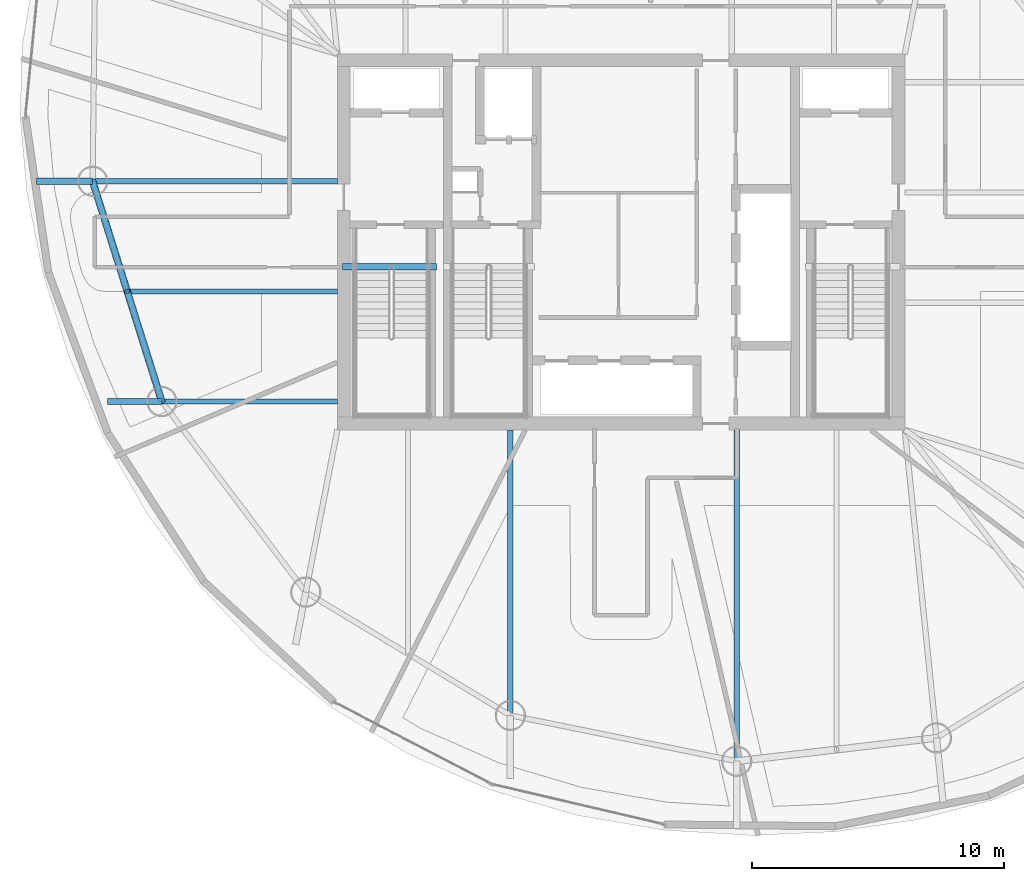
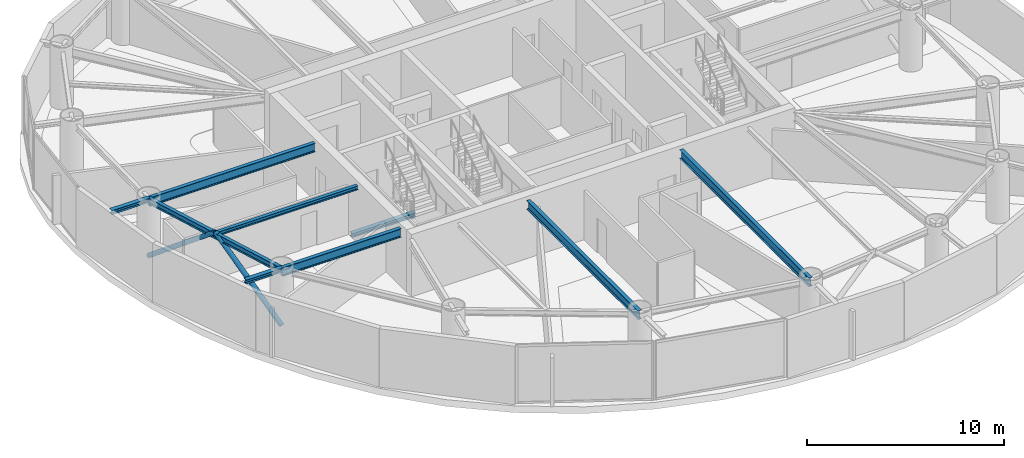
# One storey, part 4 of 25: 9 beams, 2 members.
"""IFC4 building model written with IfcOpenShell, lengths in metres."""

from ifc_helpers import new_model, si_unit, direction, frame, origin, origin_2d, place, context, subcontext, project, spatial, hollow_circle, i_section, extrude, material, material_profile, profile_set, type_object, element, save


model = new_model("IFC4")

# Units and contexts
model_context = context("Model", 3, precision=1e-05, world=origin(), true_north=direction((0.0, 1.0)))
body_context = subcontext(model_context, "Body", "Model", "MODEL_VIEW")
ifc_project = project(units=[si_unit("LENGTHUNIT", "METRE"), si_unit("AREAUNIT", "SQUARE_METRE"), si_unit("VOLUMEUNIT", "CUBIC_METRE"), si_unit("PLANEANGLEUNIT", "RADIAN"), si_unit("MASSUNIT", "GRAM", prefix="KILO")], contexts=[model_context])

# Site, building, storey
site_placement = place(None, origin())
site = spatial("IfcSite", under=ifc_project, at=site_placement, CompositionType="ELEMENT")
building_placement = place(site_placement, origin())
building = spatial("IfcBuilding", under=site, at=building_placement, Name="Bramvorn Convention Spire", CompositionType="ELEMENT")
storey_placement = place(building_placement, frame((0.0, 0.0, 171.199951171875)))
storey = spatial("IfcBuildingStorey", under=building, at=storey_placement, Name="L43", CompositionType="ELEMENT", Elevation=171.199951171875)

# Beams
ifc_material = material(Name="Steel CSA G40.21 Grade 350 (350W)", Category="steel")
ifc_material_profile_1 = material_profile(ifc_material, i_section(OverallWidth=0.201904296875, OverallDepth=0.2470703125, WebThickness=0.00732421875, FlangeThickness=0.010986328125, FilletRadius=0.011962890625, at=origin_2d()))
ifc_profile_set_1 = profile_set([ifc_material_profile_1], Name="Steel CSA G40.21 Grade 350 (350W) - W250X49")
beam_type_1 = type_object("IfcBeamType", Name="BM-W250X49", PredefinedType="JOIST", material=ifc_profile_set_1)
beam_1_placement = place(storey_placement, frame((26.75, 24.039794921875, 3.49658203125), z_axis=(-1.0, 0.0, 0.0), x_axis=(0.0, -1.0, 0.0)))
element("IfcBeam", 1, at=beam_1_placement, inside=storey, type_object=beam_type_1, Name="L43 composite floor joist 11", PredefinedType="JOIST", context=body_context, shape_type="SweptSolid", body=[
    extrude(i_section(OverallWidth=0.201904296875, OverallDepth=0.2470703125, WebThickness=0.00732421875, FlangeThickness=0.010986328125, FilletRadius=0.011962890625, at=origin_2d()), origin(), (0.0, 0.0, 1.0), 8.33251953125),
])
ifc_material_profile_2 = material_profile(ifc_material, i_section(OverallWidth=0.25390625, OverallDepth=0.2529296875, WebThickness=0.008544921875, FlangeThickness=0.01416015625, FilletRadius=0.011962890625, at=origin_2d()))
ifc_profile_set_2 = profile_set([ifc_material_profile_2], Name="Steel CSA G40.21 Grade 350 (350W) - W250X73")
beam_type_2 = type_object("IfcBeamType", Name="BM-W250X73", PredefinedType="BEAM", material=ifc_profile_set_2)
beam_2_placement = place(storey_placement, frame((17.04541015625, 28.406494140625, 3.49365234375), z_axis=(-1.0, 0.0, 0.0), x_axis=(0.0, -1.0, 0.0)))
element("IfcBeam", 2, at=beam_2_placement, inside=storey, type_object=beam_type_2, Name="L43 slab-edge cantilever tip beam MC11", PredefinedType="BEAM", context=body_context, shape_type="SweptSolid", body=[
    extrude(i_section(OverallWidth=0.25390625, OverallDepth=0.2529296875, WebThickness=0.008544921875, FlangeThickness=0.01416015625, FilletRadius=0.011962890625, at=origin_2d()), origin(), (0.0, 0.0, 1.0), 2.224609375),
])
beam_3_placement = place(storey_placement, frame((19.78955078125, 19.672607421875, 3.49365234375), z_axis=(-1.0, 0.0, 0.0), x_axis=(0.0, -1.0, 0.0)))
element("IfcBeam", 3, at=beam_3_placement, inside=storey, type_object=beam_type_2, Name="L43 slab-edge cantilever tip beam MC12", PredefinedType="BEAM", context=body_context, shape_type="SweptSolid", body=[
    extrude(i_section(OverallWidth=0.25390625, OverallDepth=0.2529296875, WebThickness=0.008544921875, FlangeThickness=0.01416015625, FilletRadius=0.011962890625, at=origin_2d()), origin(), (0.0, 0.0, 1.0), 2.14794921875),
])
beam_4_placement = place(storey_placement, frame((26.949951171875, 25.010009765625, -0.12646484375), z_axis=(1.0, 0.0, 0.0), x_axis=(0.0, 1.0, 0.0)))
element("IfcBeam", 4, at=beam_4_placement, inside=storey, type_object=beam_type_2, Name="L43 ST1 stair arrival header beam", PredefinedType="BEAM", context=body_context, shape_type="SweptSolid", body=[
    extrude(i_section(OverallWidth=0.25390625, OverallDepth=0.2529296875, WebThickness=0.008544921875, FlangeThickness=0.01416015625, FilletRadius=0.011962890625, at=origin_2d()), origin(), (0.0, 0.0, 1.0), 3.739990234375),
])
ifc_material_profile_3 = material_profile(ifc_material, i_section(OverallWidth=0.205078125, OverallDepth=0.35400390625, WebThickness=0.009521484375, FlangeThickness=0.016845703125, FilletRadius=0.014892578125, at=origin_2d()))
ifc_profile_set_3 = profile_set([ifc_material_profile_3], Name="Steel CSA G40.21 Grade 350 (350W) - W360X79")
beam_type_3 = type_object("IfcBeamType", Name="BM-W360X79", PredefinedType="JOIST", material=ifc_profile_set_3)
beam_5_placement = place(storey_placement, frame((17.04541015625, 28.406494140625, 3.443115234375), z_axis=(0.299747542929, -0.954018558786, 0.0), x_axis=(0.954018558786, 0.299747542929, 0.0)))
element("IfcBeam", 5, at=beam_5_placement, inside=storey, type_object=beam_type_3, Name="L43 mega-column ring beam 11", PredefinedType="JOIST", context=body_context, shape_type="SweptSolid", body=[
    extrude(i_section(OverallWidth=0.205078125, OverallDepth=0.35400390625, WebThickness=0.009521484375, FlangeThickness=0.016845703125, FilletRadius=0.014892578125, at=origin_2d()), origin(), (0.0, 0.0, 1.0), 9.15478515625),
])
ifc_material_profile_4 = material_profile(ifc_material, i_section(OverallWidth=0.2119140625, OverallDepth=0.5439453125, WebThickness=0.01318359375, FlangeThickness=0.021240234375, FilletRadius=0.01904296875, at=origin_2d()))
ifc_profile_set_4 = profile_set([ifc_material_profile_4], Name="Steel CSA G40.21 Grade 350 (350W) - W530X123")
beam_type_4 = type_object("IfcBeamType", Name="BM-W530X123", PredefinedType="BEAM", material=ifc_profile_set_4)
beam_6_placement = place(storey_placement, frame((26.75, 28.406494140625, 3.34814453125), z_axis=(-1.0, 0.0, 0.0), x_axis=(0.0, -1.0, 0.0)))
element("IfcBeam", 6, at=beam_6_placement, inside=storey, type_object=beam_type_4, Name="L43 radial floor girder MC11", PredefinedType="BEAM", context=body_context, shape_type="SweptSolid", body=[
    extrude(i_section(OverallWidth=0.2119140625, OverallDepth=0.5439453125, WebThickness=0.01318359375, FlangeThickness=0.021240234375, FilletRadius=0.01904296875, at=origin_2d()), origin(), (0.0, 0.0, 1.0), 9.70458984375),
])
beam_7_placement = place(storey_placement, frame((26.75, 19.672607421875, 3.34814453125), z_axis=(-1.0, 0.0, 0.0), x_axis=(0.0, -1.0, 0.0)))
element("IfcBeam", 7, at=beam_7_placement, inside=storey, type_object=beam_type_4, Name="L43 radial floor girder MC12", PredefinedType="BEAM", context=body_context, shape_type="SweptSolid", body=[
    extrude(i_section(OverallWidth=0.2119140625, OverallDepth=0.5439453125, WebThickness=0.01318359375, FlangeThickness=0.021240234375, FilletRadius=0.01904296875, at=origin_2d()), origin(), (0.0, 0.0, 1.0), 6.96044921875),
])
beam_8_placement = place(storey_placement, frame((33.61083984375, 18.550048828125, 3.34814453125), z_axis=(0.0, -1.0, 0.0), x_axis=(1.0, 0.0, 0.0)))
element("IfcBeam", 8, at=beam_8_placement, inside=storey, type_object=beam_type_4, Name="L43 radial floor girder MC14", PredefinedType="BEAM", context=body_context, shape_type="SweptSolid", body=[
    extrude(i_section(OverallWidth=0.2119140625, OverallDepth=0.5439453125, WebThickness=0.01318359375, FlangeThickness=0.021240234375, FilletRadius=0.01904296875, at=origin_2d()), origin(), (0.0, 0.0, 1.0), 11.322265625),
])
beam_9_placement = place(storey_placement, frame((42.583740234375, 18.550048828125, 3.34814453125), z_axis=(0.0, -1.0, 0.0), x_axis=(1.0, 0.0, 0.0)))
element("IfcBeam", 9, at=beam_9_placement, inside=storey, type_object=beam_type_4, Name="L43 radial floor girder MC15", PredefinedType="BEAM", context=body_context, shape_type="SweptSolid", body=[
    extrude(i_section(OverallWidth=0.2119140625, OverallDepth=0.5439453125, WebThickness=0.01318359375, FlangeThickness=0.021240234375, FilletRadius=0.01904296875, at=origin_2d()), origin(), (0.0, 0.0, 1.0), 13.138427734375),
])

# Members
ifc_material_profile_5 = material_profile(ifc_material, hollow_circle(Radius=0.136474609375, WallThickness=0.0126953125, at=origin_2d()))
ifc_profile_set_5 = profile_set([ifc_material_profile_5], Name="Steel CSA G40.21 Grade 350 (350W) - CHS273X13")
member_type = type_object("IfcMemberType", Name="MBR-CHS273X13", PredefinedType="BRACE", material=ifc_profile_set_5)
for number, where, z_axis, x_axis, name in (
    (10, (17.04541015625, 28.406494140625, 0.0), (0.235107601758, -0.74828641862, 0.620315928624), (0.954018558786, 0.299747542929, 0.0), "L43 perimeter Gothic lancet brace 11A"),
    (11, (19.78955078125, 19.672607421875, 0.0), (-0.235107601758, 0.74828641862, 0.620315928624), (-0.954018558786, -0.299747542929, 0.0), "L43 perimeter Gothic lancet brace 11B"),
):
    element("IfcMember", number, at=place(storey_placement, frame(where, z_axis=z_axis, x_axis=x_axis)), inside=storey, type_object=member_type, Name=name, PredefinedType="BRACE", context=body_context, shape_type="SweptSolid", body=[
        extrude(hollow_circle(Radius=0.136474609375, WallThickness=0.0126953125, at=origin_2d()), origin(), (0.0, 0.0, 1.0), 5.8359375),
    ])

save(model, "model.ifc")
